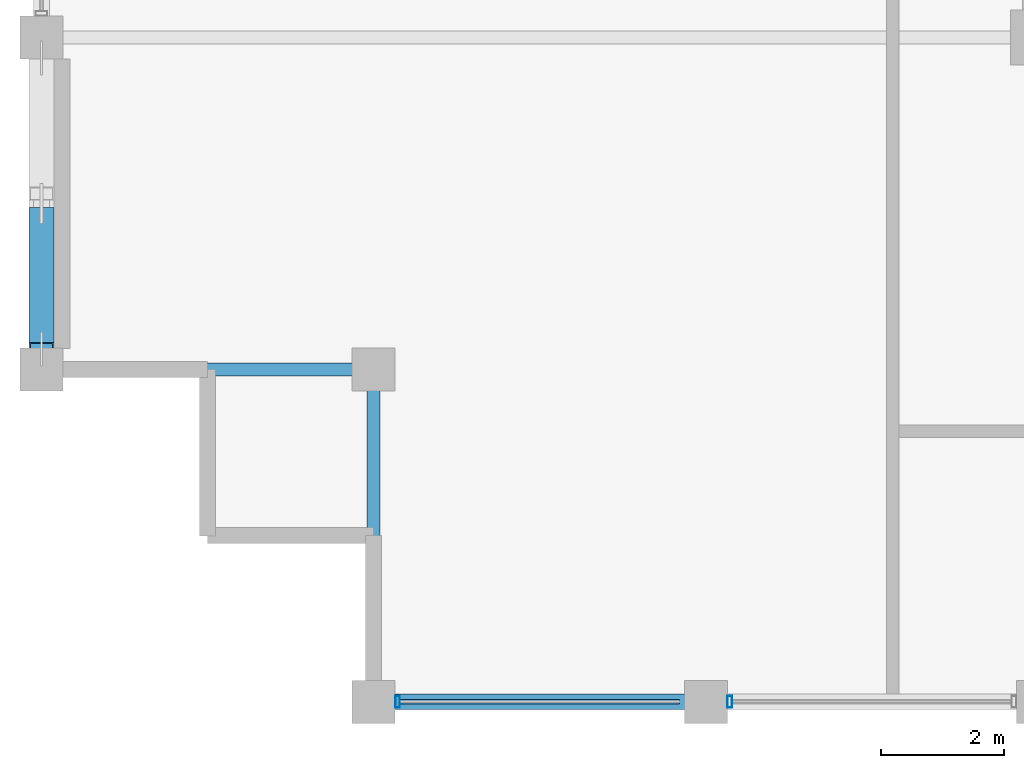
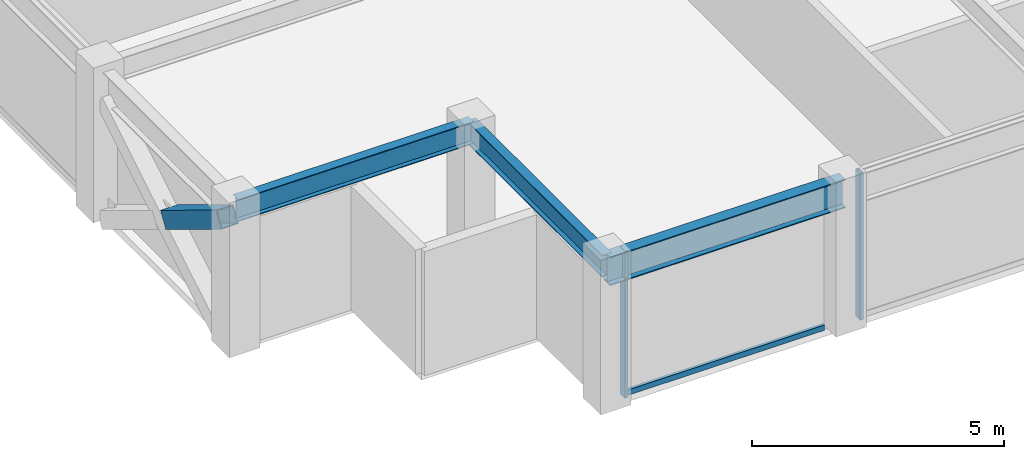
# One storey, part 2 of 30: 4 members, 3 beams, 1 element without a shape of its own.
"""IFC4 building model written with IfcOpenShell, lengths in metres."""

from ifc_helpers import new_model, si_unit, direction, frame, origin, origin_2d, place, context, subcontext, project, spatial, hollow_rectangle, i_section, extrude, material, layer, layer_set, material_profile, profile_set, type_object, element, aggregate, save


model = new_model("IFC4")

# Units and contexts
model_context = context("Model", 3, precision=1e-05, world=origin(), true_north=direction((0.0, 1.0)))
body_context = subcontext(model_context, "Body", "Model", "MODEL_VIEW")
ifc_project = project(units=[si_unit("LENGTHUNIT", "METRE"), si_unit("AREAUNIT", "SQUARE_METRE"), si_unit("VOLUMEUNIT", "CUBIC_METRE"), si_unit("PLANEANGLEUNIT", "RADIAN"), si_unit("MASSUNIT", "GRAM", prefix="KILO")], contexts=[model_context])

# Site, building, storey
site_placement = place(None, origin())
site = spatial("IfcSite", under=ifc_project, at=site_placement, CompositionType="ELEMENT")
building_placement = place(site_placement, origin())
building = spatial("IfcBuilding", under=site, at=building_placement, Name="Surkhivell Harbour Commons", CompositionType="ELEMENT")
storey_placement = place(building_placement, frame((0.0, 0.0, 292.5)))
storey = spatial("IfcBuildingStorey", under=building, at=storey_placement, Name="L76", CompositionType="ELEMENT", Elevation=292.5)

# Beams
ifc_material_1 = material(Name="Steel S355", Category="steel")
ifc_material_profile_1 = material_profile(ifc_material_1, i_section(OverallWidth=0.2099609375, OverallDepth=0.537109375, WebThickness=0.0107421875, FlangeThickness=0.017333984375, at=origin_2d()), Name="UB533x210x101")
ifc_profile_set_1 = profile_set([ifc_material_profile_1], Name="Steel S355")
beam_type_1 = type_object("IfcBeamType", Name="BM-GRD-533B", PredefinedType="BEAM", material=ifc_profile_set_1)
beam_1_placement = place(storey_placement, frame((-27.0, -16.199951171875, 3.301513671875), z_axis=(1.0, 0.0, 0.0), x_axis=(0.0, 1.0, 0.0)))
element("IfcBeam", 1, at=beam_1_placement, inside=storey, type_object=beam_type_1, Name="L76 Floor Girder (-27.0,-16.2)", PredefinedType="BEAM", context=body_context, shape_type="SweptSolid", body=[
    extrude(i_section(OverallWidth=0.2099609375, OverallDepth=0.537109375, WebThickness=0.0107421875, FlangeThickness=0.017333984375, at=origin_2d()), origin(), (0.0, 0.0, 1.0), 5.39990234375),
])
beam_2_placement = place(storey_placement, frame((-21.60009765625, -21.60009765625, 3.301513671875), z_axis=(0.0, 1.0, 0.0), x_axis=(-1.0, 0.0, 0.0)))
element("IfcBeam", 2, at=beam_2_placement, inside=storey, type_object=beam_type_1, Name="L76 Floor Girder (-21.6,-21.6)", PredefinedType="BEAM", context=body_context, shape_type="SweptSolid", body=[
    extrude(i_section(OverallWidth=0.2099609375, OverallDepth=0.537109375, WebThickness=0.0107421875, FlangeThickness=0.017333984375, at=origin_2d()), origin(), (0.0, 0.0, 1.0), 5.400146484375),
])
ifc_material_profile_2 = material_profile(ifc_material_1, i_section(OverallWidth=0.256103515625, OverallDepth=0.693115234375, WebThickness=0.014404296875, FlangeThickness=0.023681640625, at=origin_2d()), Name="UB686x254x170")
ifc_profile_set_2 = profile_set([ifc_material_profile_2], Name="Steel S355")
beam_type_2 = type_object("IfcBeamType", Name="BM-SPN-686", PredefinedType="SPANDREL", material=ifc_profile_set_2)
beam_3_placement = place(storey_placement, frame((-21.60009765625, -21.60009765625, 3.223388671875), z_axis=(1.0, 0.0, 0.0), x_axis=(0.0, 1.0, 0.0)))
element("IfcBeam", 3, at=beam_3_placement, inside=storey, type_object=beam_type_2, Name="L76 Tube Spandrel (-21.6,-21.6)", PredefinedType="SPANDREL", context=body_context, shape_type="SweptSolid", body=[
    extrude(i_section(OverallWidth=0.256103515625, OverallDepth=0.693115234375, WebThickness=0.014404296875, FlangeThickness=0.023681640625, at=origin_2d()), origin(), (0.0, 0.0, 1.0), 5.400146484375),
])

# Curtain wall, members
ifc_material_2 = material(Name="Anodised pale-metal aluminium and insulated glazing", Category="aluminium")
ifc_layer = layer(ifc_material_2, 0.175048828125)
ifc_layer_set = layer_set([ifc_layer], Name="Anodised pale-metal aluminium and insulated glazing")
curtain_wall_type = type_object("IfcCurtainWallType", Name="CW-SYS-Z4", PredefinedType="NOTDEFINED", material=ifc_layer_set)
curtain_wall_placement = place(storey_placement, origin())
curtain_wall = element("IfcCurtainWall", 4, at=curtain_wall_placement, inside=storey, type_object=curtain_wall_type, Name="L76 Curtain Wall CW-L76-E00S1", PredefinedType="NOTDEFINED")
ifc_material_3 = material(Name="Anodised pale-metal aluminium alloy 6063-T6", Category="aluminium")
ifc_material_profile_3 = material_profile(ifc_material_3, hollow_rectangle(XDim=0.074951171875, YDim=0.18994140625, WallThickness=0.00390625, at=origin_2d()), Name="ALU-MULL-75x190")
ifc_profile_set_3 = profile_set([ifc_material_profile_3], Name="Anodised pale-metal aluminium alloy 6063-T6")
member_type_1 = type_object("IfcMemberType", Name="CWM-190", PredefinedType="MULLION", material=ifc_profile_set_3)
member_1_placement = place(storey_placement, frame((-21.21044921875, -21.60009765625, 0.0), z_axis=(0.0, 0.0, 1.0), x_axis=(1.0, 0.0, 0.0)))
member_1 = element("IfcMember", 5, at=member_1_placement, type_object=member_type_1, Name="CW-Z4 mullion 1", PredefinedType="MULLION", context=body_context, shape_type="SweptSolid", body=[
    extrude(hollow_rectangle(XDim=0.074951171875, YDim=0.18994140625, WallThickness=0.00390625, at=origin_2d()), origin(), (0.0, 0.0, 1.0), 3.570068359375),
])
member_2_placement = place(storey_placement, frame((-15.810546875, -21.60009765625, 0.0), z_axis=(0.0, 0.0, 1.0), x_axis=(1.0, 0.0, 0.0)))
member_2 = element("IfcMember", 6, at=member_2_placement, type_object=member_type_1, Name="CW-Z4 mullion 2", PredefinedType="MULLION", context=body_context, shape_type="SweptSolid", body=[
    extrude(hollow_rectangle(XDim=0.074951171875, YDim=0.18994140625, WallThickness=0.00390625, at=origin_2d()), origin(), (0.0, 0.0, 1.0), 3.570068359375),
])
ifc_material_4 = material(Name="Champagne anodised aluminium alloy 6063-T6", Category="aluminium")
ifc_material_profile_4 = material_profile(ifc_material_4, hollow_rectangle(XDim=0.070068359375, YDim=0.1298828125, WallThickness=0.00341796875, at=origin_2d()), Name="ALU-TRAN-70x130")
ifc_profile_set_4 = profile_set([ifc_material_profile_4], Name="Champagne anodised aluminium alloy 6063-T6")
member_type_2 = type_object("IfcMemberType", Name="CWT-130", PredefinedType="USERDEFINED", material=ifc_profile_set_4)
member_3_placement = place(storey_placement, frame((-21.173095703125, -21.60009765625, 0.06494140625), z_axis=(1.0, 0.0, 0.0), x_axis=(0.0, 1.0, 0.0)))
member_3 = element("IfcMember", 7, at=member_3_placement, type_object=member_type_2, Name="CW-Z4 transom 1.1", ObjectType="TRANSOM", PredefinedType="USERDEFINED", context=body_context, shape_type="SweptSolid", body=[
    extrude(hollow_rectangle(XDim=0.070068359375, YDim=0.1298828125, WallThickness=0.00341796875, at=origin_2d()), origin(), (0.0, 0.0, 1.0), 4.546142578125),
])
aggregate(curtain_wall, [member_1, member_3, member_2])

# Member
ifc_material_5 = material(Name="Steel S460", Category="steel")
ifc_material_profile_5 = material_profile(ifc_material_5, hollow_rectangle(XDim=0.39990234375, YDim=0.39990234375, WallThickness=0.02001953125, at=origin_2d()), Name="SHS400x400x20")
ifc_profile_set_5 = profile_set([ifc_material_profile_5], Name="Steel S460")
member_type_3 = type_object("IfcMemberType", Name="MEM-BRC-SHS400", PredefinedType="BRACE", material=ifc_profile_set_5)
member_4_placement = place(storey_placement, frame((-27.0, -13.6640625, 1.544189453125), z_axis=(0.0, -0.854677846108, 0.519158722716), x_axis=(1.0, 0.0, 0.0)))
element("IfcMember", 8, at=member_4_placement, inside=storey, type_object=member_type_3, Name="L76 Perimeter Mega-Brace MB- 12", PredefinedType="BRACE", context=body_context, shape_type="SweptSolid", body=[
    extrude(hollow_rectangle(XDim=0.39990234375, YDim=0.39990234375, WallThickness=0.02001953125, at=origin_2d()), origin(), (0.0, 0.0, 1.0), 2.5751953125),
])

save(model, "model.ifc")
